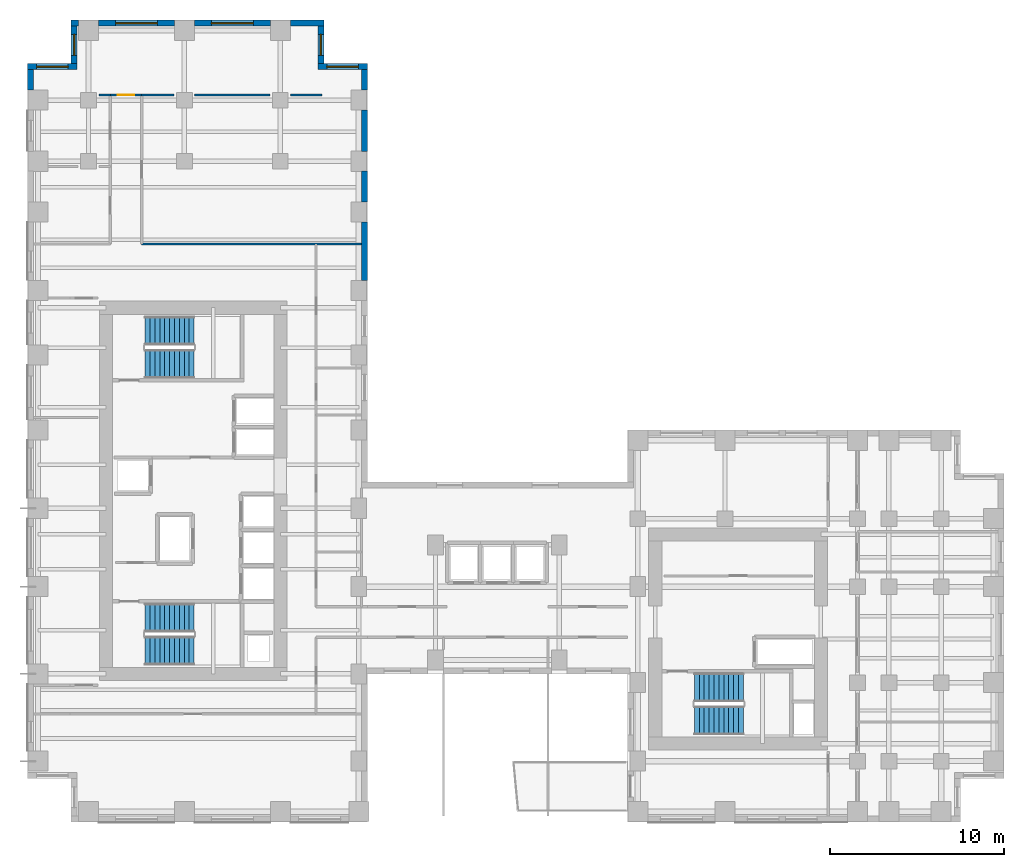
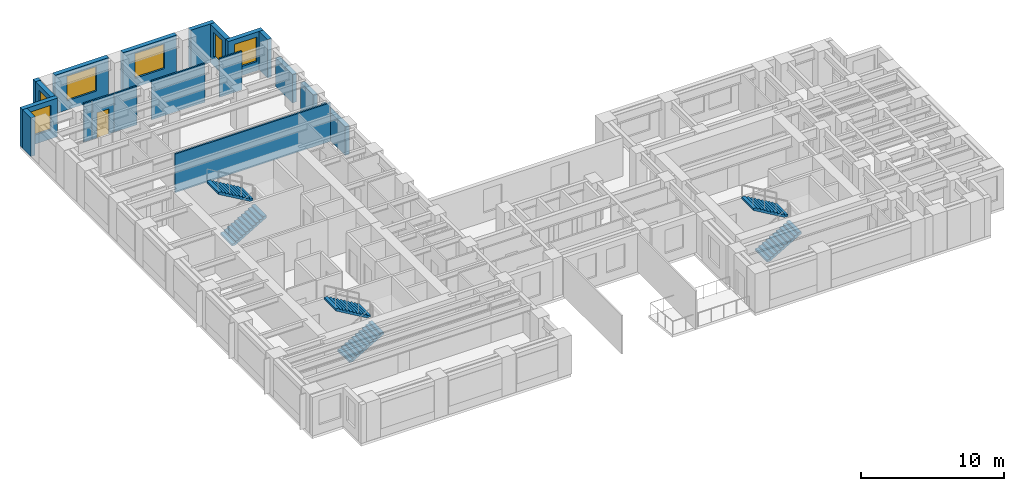
# One storey, part 9 of 12: 19 walls, 6 stair flights, 6 windows, 1 door, 7 openings, 3 elements without a shape of their own.
"""IFC4 building model written with IfcOpenShell, lengths in metres."""

from ifc_helpers import new_model, si_unit, direction, frame, frame_2d, origin, place, context, subcontext, project, spatial, polyline, rectangle, outline, extrude, source, transform, mapped, material, layer, layer_set, type_object, element, fill, aggregate, save


model = new_model("IFC4")

# Units and contexts
model_context = context("Model", 3, precision=1e-05, world=origin(), true_north=direction((0.0, 1.0)))
body_context = subcontext(model_context, "Body", "Model", "MODEL_VIEW")
ifc_project = project(units=[si_unit("LENGTHUNIT", "METRE"), si_unit("AREAUNIT", "SQUARE_METRE"), si_unit("VOLUMEUNIT", "CUBIC_METRE"), si_unit("PLANEANGLEUNIT", "RADIAN"), si_unit("MASSUNIT", "GRAM", prefix="KILO")], contexts=[model_context])

# Site, building, storey
site_placement = place(None, origin())
site = spatial("IfcSite", under=ifc_project, at=site_placement, CompositionType="ELEMENT")
building_placement = place(site_placement, origin())
building = spatial("IfcBuilding", under=site, at=building_placement, Name="Kharzan Plaza Tower", CompositionType="ELEMENT")
storey_placement = place(building_placement, frame((0.0, 0.0, 135.0)))
storey = spatial("IfcBuildingStorey", under=building, at=storey_placement, Name="L36", CompositionType="ELEMENT", Elevation=135.0)

# Wall, opening, window
ifc_material_1 = material(Name="Concrete C40/50", Category="concrete")
ifc_layer_1 = layer(ifc_material_1, 0.35009765625)
ifc_layer_set_1 = layer_set([ifc_layer_1], Name="Concrete C40/50")
wall_type_1 = type_object("IfcWallType", Name="WL-EXT-MAS-Z2", PredefinedType="SOLIDWALL", material=ifc_layer_set_1)
wall_1_placement = place(storey_placement, frame((19.5, 43.324951171875, 0.0), z_axis=(0.0, 0.0, 1.0), x_axis=(-1.0, 0.0, 0.0)))
wall_1 = element("IfcWall", 1, at=wall_1_placement, inside=storey, type_object=wall_type_1, Name="L36 Masonry-Frame Exterior Wall 08", PredefinedType="SOLIDWALL", context=body_context, shape_type="SweptSolid", body=[
    extrude(rectangle(XDim=2.85009765625, YDim=0.35009765625, at=frame_2d((1.425048828125, 0.0))), origin(), (0.0, 0.0, 1.0), 3.304931640625),
])
opening_1_placement = place(wall_1_placement, frame((0.52490234375, 0.0, 0.780029296875)))
opening_1 = element("IfcOpeningElement", 2, at=opening_1_placement, cuts=wall_1, Name="Opening W1", PredefinedType="OPENING", context=body_context, shape_type="SweptSolid", body=[
    extrude(rectangle(XDim=1.800048828125, YDim=2.10009765625, at=frame_2d((0.89990234375, 1.050048828125))), frame((0.0, 0.18505859375, 0.0), z_axis=(0.0, -1.0, 0.0), x_axis=(1.0, 0.0, 0.0)), (0.0, 0.0, 1.0), 0.3701171875),
])
ifc_material_2 = material(Name="Low-E Double Glazing", Category="glass")
window_type_1 = type_object("IfcWindowType", Name="WN-REC-1800x2100", PartitioningType="SINGLE_PANEL", PredefinedType="WINDOW", material=ifc_material_2)
shared_shape_1 = source(origin(), body_context, "Body", "SweptSolid", [
    extrude(rectangle(XDim=1.800048828125, YDim=2.10009765625, at=frame_2d((0.89990234375, 1.050048828125))), frame((0.0, 0.030029296875, 0.0), z_axis=(0.0, -1.0, 0.0), x_axis=(1.0, 0.0, 0.0)), (0.0, 0.0, 1.0), 0.06005859375),
])
window_1_placement = place(opening_1_placement, origin())
window_1 = element("IfcWindow", 3, at=window_1_placement, inside=storey, type_object=window_type_1, Name="L36 Recessed Solar-Control Window 08-1", OverallHeight=2.10009765625, OverallWidth=1.800048828125, PartitioningType="SINGLE_PANEL", PredefinedType="WINDOW", context=body_context, shape_type="MappedRepresentation", body=[
    mapped(shared_shape_1, transform((0.0, 0.0, 0.0), x_axis=(1.0, 0.0, 0.0), y_axis=(0.0, 1.0, 0.0), z_axis=(0.0, 0.0, 1.0))),
])
fill(opening_1, window_1)

wall_2_placement = place(storey_placement, frame((16.824951171875, 43.498046875, 0.0), z_axis=(0.0, 0.0, 1.0), x_axis=(0.0, 1.0, 0.0)))
wall_2 = element("IfcWall", 4, at=wall_2_placement, inside=storey, type_object=wall_type_1, Name="L36 Masonry-Frame Exterior Wall 09", PredefinedType="SOLIDWALL", context=body_context, shape_type="SweptSolid", body=[
    extrude(rectangle(XDim=2.154052734375, YDim=0.35009765625, at=frame_2d((1.0771484375, 0.0))), origin(), (0.0, 0.0, 1.0), 3.304931640625),
])
opening_2_placement = place(wall_2_placement, frame((0.47705078125, 0.0, 0.780029296875)))
opening_2 = element("IfcOpeningElement", 5, at=opening_2_placement, cuts=wall_2, Name="Opening W3", PredefinedType="OPENING", context=body_context, shape_type="SweptSolid", body=[
    extrude(rectangle(XDim=1.199951171875, YDim=2.10009765625, at=frame_2d((0.60009765625, 1.050048828125))), frame((0.0, 0.18505859375, 0.0), z_axis=(0.0, -1.0, 0.0), x_axis=(1.0, 0.0, 0.0)), (0.0, 0.0, 1.0), 0.3701171875),
])
window_type_2 = type_object("IfcWindowType", Name="WN-REC-1200x2100", PartitioningType="SINGLE_PANEL", PredefinedType="WINDOW", material=ifc_material_2)
shared_shape_2 = source(origin(), body_context, "Body", "SweptSolid", [
    extrude(rectangle(XDim=1.199951171875, YDim=2.10009765625, at=frame_2d((0.60009765625, 1.050048828125))), frame((0.0, 0.030029296875, 0.0), z_axis=(0.0, -1.0, 0.0), x_axis=(1.0, 0.0, 0.0)), (0.0, 0.0, 1.0), 0.06005859375),
])
window_2_placement = place(opening_2_placement, origin())
window_2 = element("IfcWindow", 6, at=window_2_placement, inside=storey, type_object=window_type_2, Name="L36 Recessed Solar-Control Window 09-1", OverallHeight=2.10009765625, OverallWidth=1.199951171875, PartitioningType="SINGLE_PANEL", PredefinedType="WINDOW", context=body_context, shape_type="MappedRepresentation", body=[
    mapped(shared_shape_2, transform((0.0, 0.0, 0.0), x_axis=(1.0, 0.0, 0.0), y_axis=(0.0, 1.0, 0.0), z_axis=(0.0, 0.0, 1.0))),
])
fill(opening_2, window_2)

wall_3_placement = place(storey_placement, frame((13.927001953125, 45.824951171875, 0.0), z_axis=(0.0, 0.0, 1.0), x_axis=(-1.0, 0.0, 0.0)))
wall_3 = element("IfcWall", 7, at=wall_3_placement, inside=storey, type_object=wall_type_1, Name="L36 Masonry-Frame Exterior Wall 11", PredefinedType="SOLIDWALL", context=body_context, shape_type="SweptSolid", body=[
    extrude(rectangle(XDim=4.35400390625, YDim=0.35009765625, at=frame_2d((2.177001953125, 0.0))), origin(), (0.0, 0.0, 1.0), 3.304931640625),
])
opening_3_placement = place(wall_3_placement, frame((0.97705078125, 0.0, 0.780029296875)))
opening_3 = element("IfcOpeningElement", 8, at=opening_3_placement, cuts=wall_3, Name="Opening W2", PredefinedType="OPENING", context=body_context, shape_type="SweptSolid", body=[
    extrude(rectangle(XDim=2.39990234375, YDim=2.10009765625, at=frame_2d((1.199951171875, 1.050048828125))), frame((0.0, 0.18505859375, 0.0), z_axis=(0.0, -1.0, 0.0), x_axis=(1.0, 0.0, 0.0)), (0.0, 0.0, 1.0), 0.3701171875),
])
window_type_3 = type_object("IfcWindowType", Name="WN-REC-2400x2100", PartitioningType="SINGLE_PANEL", PredefinedType="WINDOW", material=ifc_material_2)
shared_shape_3 = source(origin(), body_context, "Body", "SweptSolid", [
    extrude(rectangle(XDim=2.39990234375, YDim=2.10009765625, at=frame_2d((1.199951171875, 1.050048828125))), frame((0.0, 0.030029296875, 0.0), z_axis=(0.0, -1.0, 0.0), x_axis=(1.0, 0.0, 0.0)), (0.0, 0.0, 1.0), 0.06005859375),
])
window_3_placement = place(opening_3_placement, origin())
window_3 = element("IfcWindow", 9, at=window_3_placement, inside=storey, type_object=window_type_3, Name="L36 Wide Recessed Solar-Control Window 11-1", OverallHeight=2.10009765625, OverallWidth=2.39990234375, PartitioningType="SINGLE_PANEL", PredefinedType="WINDOW", context=body_context, shape_type="MappedRepresentation", body=[
    mapped(shared_shape_3, transform((0.0, 0.0, 0.0), x_axis=(1.0, 0.0, 0.0), y_axis=(0.0, 1.0, 0.0), z_axis=(0.0, 0.0, 1.0))),
])
fill(opening_3, window_3)

wall_4_placement = place(storey_placement, frame((8.427001953125, 45.824951171875, 0.0), z_axis=(0.0, 0.0, 1.0), x_axis=(-1.0, 0.0, 0.0)))
wall_4 = element("IfcWall", 10, at=wall_4_placement, inside=storey, type_object=wall_type_1, Name="L36 Masonry-Frame Exterior Wall 12", PredefinedType="SOLIDWALL", context=body_context, shape_type="SweptSolid", body=[
    extrude(rectangle(XDim=4.35400390625, YDim=0.35009765625, at=frame_2d((2.177001953125, 0.0))), origin(), (0.0, 0.0, 1.0), 3.304931640625),
])
opening_4_placement = place(wall_4_placement, frame((0.97705078125, 0.0, 0.780029296875)))
opening_4 = element("IfcOpeningElement", 11, at=opening_4_placement, cuts=wall_4, Name="Opening W2", PredefinedType="OPENING", context=body_context, shape_type="SweptSolid", body=[
    extrude(rectangle(XDim=2.39990234375, YDim=2.10009765625, at=frame_2d((1.199951171875, 1.050048828125))), frame((0.0, 0.18505859375, 0.0), z_axis=(0.0, -1.0, 0.0), x_axis=(1.0, 0.0, 0.0)), (0.0, 0.0, 1.0), 0.3701171875),
])
window_4_placement = place(opening_4_placement, origin())
window_4 = element("IfcWindow", 12, at=window_4_placement, inside=storey, type_object=window_type_3, Name="L36 Wide Recessed Solar-Control Window 12-1", OverallHeight=2.10009765625, OverallWidth=2.39990234375, PartitioningType="SINGLE_PANEL", PredefinedType="WINDOW", context=body_context, shape_type="MappedRepresentation", body=[
    mapped(shared_shape_3, transform((0.0, 0.0, 0.0), x_axis=(1.0, 0.0, 0.0), y_axis=(0.0, 1.0, 0.0), z_axis=(0.0, 0.0, 1.0))),
])
fill(opening_4, window_4)

wall_5_placement = place(storey_placement, frame((2.675048828125, 45.652099609375, 0.0), z_axis=(0.0, 0.0, 1.0), x_axis=(0.0, -1.0, 0.0)))
wall_5 = element("IfcWall", 13, at=wall_5_placement, inside=storey, type_object=wall_type_1, Name="L36 Masonry-Frame Exterior Wall 14", PredefinedType="SOLIDWALL", context=body_context, shape_type="SweptSolid", body=[
    extrude(rectangle(XDim=2.154052734375, YDim=0.35009765625, at=frame_2d((1.0771484375, 0.0))), origin(), (0.0, 0.0, 1.0), 3.304931640625),
])
opening_5_placement = place(wall_5_placement, frame((0.47705078125, 0.0, 0.780029296875)))
opening_5 = element("IfcOpeningElement", 14, at=opening_5_placement, cuts=wall_5, Name="Opening W3", PredefinedType="OPENING", context=body_context, shape_type="SweptSolid", body=[
    extrude(rectangle(XDim=1.199951171875, YDim=2.10009765625, at=frame_2d((0.60009765625, 1.050048828125))), frame((0.0, 0.18505859375, 0.0), z_axis=(0.0, -1.0, 0.0), x_axis=(1.0, 0.0, 0.0)), (0.0, 0.0, 1.0), 0.3701171875),
])
window_5_placement = place(opening_5_placement, origin())
window_5 = element("IfcWindow", 15, at=window_5_placement, inside=storey, type_object=window_type_2, Name="L36 Recessed Solar-Control Window 14-1", OverallHeight=2.10009765625, OverallWidth=1.199951171875, PartitioningType="SINGLE_PANEL", PredefinedType="WINDOW", context=body_context, shape_type="MappedRepresentation", body=[
    mapped(shared_shape_2, transform((0.0, 0.0, 0.0), x_axis=(1.0, 0.0, 0.0), y_axis=(0.0, 1.0, 0.0), z_axis=(0.0, 0.0, 1.0))),
])
fill(opening_5, window_5)

wall_6_placement = place(storey_placement, frame((2.85009765625, 43.324951171875, 0.0), z_axis=(0.0, 0.0, 1.0), x_axis=(-1.0, 0.0, 0.0)))
wall_6 = element("IfcWall", 16, at=wall_6_placement, inside=storey, type_object=wall_type_1, Name="L36 Masonry-Frame Exterior Wall 15", PredefinedType="SOLIDWALL", context=body_context, shape_type="SweptSolid", body=[
    extrude(rectangle(XDim=2.85009765625, YDim=0.35009765625, at=frame_2d((1.425048828125, 0.0))), origin(), (0.0, 0.0, 1.0), 3.304931640625),
])
opening_6_placement = place(wall_6_placement, frame((0.52490234375, 0.0, 0.780029296875)))
opening_6 = element("IfcOpeningElement", 17, at=opening_6_placement, cuts=wall_6, Name="Opening W1", PredefinedType="OPENING", context=body_context, shape_type="SweptSolid", body=[
    extrude(rectangle(XDim=1.800048828125, YDim=2.10009765625, at=frame_2d((0.89990234375, 1.050048828125))), frame((0.0, 0.18505859375, 0.0), z_axis=(0.0, -1.0, 0.0), x_axis=(1.0, 0.0, 0.0)), (0.0, 0.0, 1.0), 0.3701171875),
])
window_6_placement = place(opening_6_placement, origin())
window_6 = element("IfcWindow", 18, at=window_6_placement, inside=storey, type_object=window_type_1, Name="L36 Recessed Solar-Control Window 15-1", OverallHeight=2.10009765625, OverallWidth=1.800048828125, PartitioningType="SINGLE_PANEL", PredefinedType="WINDOW", context=body_context, shape_type="MappedRepresentation", body=[
    mapped(shared_shape_1, transform((0.0, 0.0, 0.0), x_axis=(1.0, 0.0, 0.0), y_axis=(0.0, 1.0, 0.0), z_axis=(0.0, 0.0, 1.0))),
])
fill(opening_6, window_6)

# Wall, opening, door
ifc_material_3 = material(Name="Fire-Rated Gypsum Board Partition", Category="gypsum")
ifc_layer_2 = layer(ifc_material_3, 0.125)
ifc_layer_set_2 = layer_set([ifc_layer_2], Name="Fire-Rated Gypsum Board Partition")
wall_type_2 = type_object("IfcWallType", Name="WL-INT-PART-125", PredefinedType="PARTITIONING", material=ifc_layer_set_2)
wall_7_placement = place(storey_placement, frame((4.75, 41.699951171875, 0.0), z_axis=(0.0, 0.0, 1.0), x_axis=(1.0, 0.0, 0.0)))
wall_7 = element("IfcWall", 19, at=wall_7_placement, inside=storey, type_object=wall_type_2, Name="L36 Interior Partition SH-SPHD", PredefinedType="PARTITIONING", context=body_context, shape_type="SweptSolid", body=[
    extrude(rectangle(XDim=1.800048828125, YDim=0.125, at=frame_2d((0.89990234375, 0.0))), origin(), (0.0, 0.0, 1.0), 3.304931640625),
])
opening_7_placement = place(wall_7_placement, frame((0.425048828125, 0.0, 0.0)))
opening_7 = element("IfcOpeningElement", 20, at=opening_7_placement, cuts=wall_7, Name="Opening OD1", PredefinedType="OPENING", context=body_context, shape_type="SweptSolid", body=[
    extrude(rectangle(XDim=0.949951171875, YDim=2.14990234375, at=frame_2d((0.47509765625, 1.074951171875))), frame((0.0, 0.072509765625, 0.0), z_axis=(0.0, -1.0, 0.0), x_axis=(1.0, 0.0, 0.0)), (0.0, 0.0, 1.0), 0.14501953125),
])
ifc_material_4 = material(Name="Acoustic Solid-Core Stained Oak", Category="timber")
door_type = type_object("IfcDoorType", Name="DR-OFF-SINGLE", OperationType="NOTDEFINED", PredefinedType="DOOR", material=ifc_material_4)
shared_shape_4 = source(origin(), body_context, "Body", "SweptSolid", [
    extrude(rectangle(XDim=0.949951171875, YDim=2.14990234375, at=frame_2d((0.47509765625, 1.074951171875))), frame((0.0, 0.02490234375, 0.0), z_axis=(0.0, -1.0, 0.0), x_axis=(1.0, 0.0, 0.0)), (0.0, 0.0, 1.0), 0.050048828125),
])
door_placement = place(opening_7_placement, origin())
door = element("IfcDoor", 21, at=door_placement, inside=storey, type_object=door_type, Name="L36 North Boardroom Door", OperationType="SINGLE_SWING_LEFT", OverallHeight=2.14990234375, OverallWidth=0.949951171875, PredefinedType="DOOR", context=body_context, shape_type="MappedRepresentation", body=[
    mapped(shared_shape_4, transform((0.0, 0.0, 0.0), x_axis=(1.0, 0.0, 0.0), y_axis=(0.0, 1.0, 0.0), z_axis=(0.0, 0.0, 1.0))),
])
fill(opening_7, door)

# Walls
shared_shape_5 = source(origin(), body_context, "Body", "SweptSolid", [
    extrude(rectangle(XDim=3.35400390625, YDim=0.35009765625, at=frame_2d((1.677001953125, 0.0))), origin(), (0.0, 0.0, 1.0), 2.458984375),
])
wall_8_placement = place(storey_placement, frame((19.324951171875, 31.072998046875, 0.0), z_axis=(0.0, 0.0, 1.0), x_axis=(0.0, 1.0, 0.0)))
element("IfcWall", 22, at=wall_8_placement, inside=storey, type_object=wall_type_1, Name="L36 Masonry-Frame Exterior Wall 04", PredefinedType="SOLIDWALL", context=body_context, shape_type="MappedRepresentation", body=[
    mapped(shared_shape_5, transform((0.0, 0.0, 0.0), x_axis=(1.0, 0.0, 0.0), y_axis=(0.0, 1.0, 0.0), z_axis=(0.0, 0.0, 1.0))),
])
shared_shape_6 = source(origin(), body_context, "Body", "SweptSolid", [
    extrude(rectangle(XDim=1.75390625, YDim=0.35009765625, at=frame_2d((0.876953125, 0.0))), origin(), (0.0, 0.0, 1.0), 2.458984375),
])
wall_9_placement = place(storey_placement, frame((19.324951171875, 35.572998046875, 0.0), z_axis=(0.0, 0.0, 1.0), x_axis=(0.0, 1.0, 0.0)))
element("IfcWall", 23, at=wall_9_placement, inside=storey, type_object=wall_type_1, Name="L36 Masonry-Frame Exterior Wall 05", PredefinedType="SOLIDWALL", context=body_context, shape_type="MappedRepresentation", body=[
    mapped(shared_shape_6, transform((0.0, 0.0, 0.0), x_axis=(1.0, 0.0, 0.0), y_axis=(0.0, 1.0, 0.0), z_axis=(0.0, 0.0, 1.0))),
])
shared_shape_7 = source(origin(), body_context, "Body", "SweptSolid", [
    extrude(rectangle(XDim=2.35400390625, YDim=0.35009765625, at=frame_2d((1.177001953125, 0.0))), origin(), (0.0, 0.0, 1.0), 2.458984375),
])
wall_10_placement = place(storey_placement, frame((19.324951171875, 38.472900390625, 0.0), z_axis=(0.0, 0.0, 1.0), x_axis=(0.0, 1.0, 0.0)))
element("IfcWall", 24, at=wall_10_placement, inside=storey, type_object=wall_type_1, Name="L36 Masonry-Frame Exterior Wall 06", PredefinedType="SOLIDWALL", context=body_context, shape_type="MappedRepresentation", body=[
    mapped(shared_shape_7, transform((0.0, 0.0, 0.0), x_axis=(1.0, 0.0, 0.0), y_axis=(0.0, 1.0, 0.0), z_axis=(0.0, 0.0, 1.0))),
])
shared_shape_8 = source(origin(), body_context, "Body", "SweptSolid", [
    extrude(rectangle(XDim=1.17919921875, YDim=0.35009765625, at=frame_2d((0.589599609375, 0.0))), origin(), (0.0, 0.0, 1.0), 3.304931640625),
])
for number, where, z_axis, x_axis, name in (
    (25, (19.324951171875, 41.972900390625, 0.0), (0.0, 0.0, 1.0), (0.0, 1.0, 0.0), "L36 Masonry-Frame Exterior Wall 07"),
    (26, (0.175048828125, 43.152099609375, 0.0), (0.0, 0.0, 1.0), (0.0, -1.0, 0.0), "L36 Masonry-Frame Exterior Wall 16"),
):
    element("IfcWall", number, at=place(storey_placement, frame(where, z_axis=z_axis, x_axis=x_axis)), inside=storey, type_object=wall_type_1, Name=name, PredefinedType="SOLIDWALL", context=body_context, shape_type="MappedRepresentation", body=[
        mapped(shared_shape_8, transform((0.0, 0.0, 0.0), x_axis=(1.0, 0.0, 0.0), y_axis=(0.0, 1.0, 0.0), z_axis=(0.0, 0.0, 1.0))),
    ])
shared_shape_9 = source(origin(), body_context, "Body", "SweptSolid", [
    extrude(rectangle(XDim=1.927001953125, YDim=0.35009765625, at=frame_2d((0.96337890625, 0.0))), origin(), (0.0, 0.0, 1.0), 3.304931640625),
])
wall_11_placement = place(storey_placement, frame((17.0, 45.824951171875, 0.0), z_axis=(0.0, 0.0, 1.0), x_axis=(-1.0, 0.0, 0.0)))
element("IfcWall", 27, at=wall_11_placement, inside=storey, type_object=wall_type_1, Name="L36 Masonry-Frame Exterior Wall 10", PredefinedType="SOLIDWALL", context=body_context, shape_type="MappedRepresentation", body=[
    mapped(shared_shape_9, transform((0.0, 0.0, 0.0), x_axis=(1.0, 0.0, 0.0), y_axis=(0.0, 1.0, 0.0), z_axis=(0.0, 0.0, 1.0))),
])
shared_shape_10 = source(origin(), body_context, "Body", "SweptSolid", [
    extrude(rectangle(XDim=0.427001953125, YDim=0.35009765625, at=frame_2d((0.21337890625, 0.0))), origin(), (0.0, 0.0, 1.0), 3.304931640625),
])
wall_12_placement = place(storey_placement, frame((2.927001953125, 45.824951171875, 0.0), z_axis=(0.0, 0.0, 1.0), x_axis=(-1.0, 0.0, 0.0)))
element("IfcWall", 28, at=wall_12_placement, inside=storey, type_object=wall_type_1, Name="L36 Masonry-Frame Exterior Wall 13", PredefinedType="SOLIDWALL", context=body_context, shape_type="MappedRepresentation", body=[
    mapped(shared_shape_10, transform((0.0, 0.0, 0.0), x_axis=(1.0, 0.0, 0.0), y_axis=(0.0, 1.0, 0.0), z_axis=(0.0, 0.0, 1.0))),
])
shared_shape_11 = source(origin(), body_context, "Body", "SweptSolid", [
    extrude(rectangle(XDim=12.597900390625, YDim=0.125, at=frame_2d((6.298828125, 0.0))), origin(), (0.0, 0.0, 1.0), 3.304931640625),
])
wall_13_placement = place(storey_placement, frame((6.550048828125, 33.14990234375, 0.0), z_axis=(0.0, 0.0, 1.0), x_axis=(1.0, 0.0, 0.0)))
element("IfcWall", 29, at=wall_13_placement, inside=storey, type_object=wall_type_2, Name="L36 Interior Partition SH-NNE", PredefinedType="PARTITIONING", context=body_context, shape_type="MappedRepresentation", body=[
    mapped(shared_shape_11, transform((0.0, 0.0, 0.0), x_axis=(1.0, 0.0, 0.0), y_axis=(0.0, 1.0, 0.0), z_axis=(0.0, 0.0, 1.0))),
])
shared_shape_12 = source(origin(), body_context, "Body", "SweptSolid", [
    extrude(rectangle(XDim=0.659912109375, YDim=0.125, at=frame_2d((0.330078125, 0.0))), origin(), (0.0, 0.0, 1.0), 3.304931640625),
])
wall_14_placement = place(storey_placement, frame((4.090087890625, 41.699951171875, 0.0), z_axis=(0.0, 0.0, 1.0), x_axis=(1.0, 0.0, 0.0)))
element("IfcWall", 30, at=wall_14_placement, inside=storey, type_object=wall_type_2, Name="L36 Interior Partition SH-SPHW", PredefinedType="PARTITIONING", context=body_context, shape_type="MappedRepresentation", body=[
    mapped(shared_shape_12, transform((0.0, 0.0, 0.0), x_axis=(1.0, 0.0, 0.0), y_axis=(0.0, 1.0, 0.0), z_axis=(0.0, 0.0, 1.0))),
])
shared_shape_13 = source(origin(), body_context, "Body", "SweptSolid", [
    extrude(rectangle(XDim=1.85986328125, YDim=0.125, at=frame_2d((0.929931640625, 0.0))), origin(), (0.0, 0.0, 1.0), 3.304931640625),
])
wall_15_placement = place(storey_placement, frame((6.550048828125, 41.699951171875, 0.0), z_axis=(0.0, 0.0, 1.0), x_axis=(1.0, 0.0, 0.0)))
element("IfcWall", 31, at=wall_15_placement, inside=storey, type_object=wall_type_2, Name="L36 Interior Partition SH-SPHE-S1", PredefinedType="PARTITIONING", context=body_context, shape_type="MappedRepresentation", body=[
    mapped(shared_shape_13, transform((0.0, 0.0, 0.0), x_axis=(1.0, 0.0, 0.0), y_axis=(0.0, 1.0, 0.0), z_axis=(0.0, 0.0, 1.0))),
])
shared_shape_14 = source(origin(), body_context, "Body", "SweptSolid", [
    extrude(rectangle(XDim=4.31982421875, YDim=0.125, at=frame_2d((2.159912109375, 0.0))), origin(), (0.0, 0.0, 1.0), 3.304931640625),
])
wall_16_placement = place(storey_placement, frame((9.590087890625, 41.699951171875, 0.0), z_axis=(0.0, 0.0, 1.0), x_axis=(1.0, 0.0, 0.0)))
element("IfcWall", 32, at=wall_16_placement, inside=storey, type_object=wall_type_2, Name="L36 Interior Partition SH-SPHE-S2", PredefinedType="PARTITIONING", context=body_context, shape_type="MappedRepresentation", body=[
    mapped(shared_shape_14, transform((0.0, 0.0, 0.0), x_axis=(1.0, 0.0, 0.0), y_axis=(0.0, 1.0, 0.0), z_axis=(0.0, 0.0, 1.0))),
])
shared_shape_15 = source(origin(), body_context, "Body", "SweptSolid", [
    extrude(rectangle(XDim=1.809814453125, YDim=0.125, at=frame_2d((0.90478515625, 0.0))), origin(), (0.0, 0.0, 1.0), 3.304931640625),
])
wall_17_placement = place(storey_placement, frame((15.090087890625, 41.699951171875, 0.0), z_axis=(0.0, 0.0, 1.0), x_axis=(1.0, 0.0, 0.0)))
element("IfcWall", 33, at=wall_17_placement, inside=storey, type_object=wall_type_2, Name="L36 Interior Partition SH-SPHE-S3", PredefinedType="PARTITIONING", context=body_context, shape_type="MappedRepresentation", body=[
    mapped(shared_shape_15, transform((0.0, 0.0, 0.0), x_axis=(1.0, 0.0, 0.0), y_axis=(0.0, 1.0, 0.0), z_axis=(0.0, 0.0, 1.0))),
])

# Stair, stair flights
stair_type_1 = type_object("IfcStairType", Name="STR-ST-1", PredefinedType="HALF_TURN_STAIR", material=ifc_material_1)
stair_1_placement = place(storey_placement, origin())
stair_1 = element("IfcStair", 34, at=stair_1_placement, inside=storey, type_object=stair_type_1, Name="L36 Protected Exit Stair ST-1", PredefinedType="HALF_TURN_STAIR")
stair_flight_type = type_object("IfcStairFlightType", Name="SFL-1650-R173", PredefinedType="STRAIGHT", material=ifc_material_1)
shared_shape_16 = source(origin(), body_context, "Body", "SweptSolid", [
    extrude(outline(polyline([(-0.0029296875, -0.011962890625), (-0.0029296875, 0.0), (0.0, 0.0), (0.0, 0.16357421875), (0.280029296875, 0.16357421875), (0.280029296875, 0.3271484375), (0.56005859375, 0.3271484375), (0.56005859375, 0.49072265625), (0.840087890625, 0.49072265625), (0.840087890625, 0.654296875), (1.1201171875, 0.654296875), (1.1201171875, 0.81787109375), (1.400146484375, 0.81787109375), (1.400146484375, 0.9814453125), (1.68017578125, 0.9814453125), (1.68017578125, 1.14501953125), (1.960205078125, 1.14501953125), (1.960205078125, 1.30859375), (2.240234375, 1.30859375), (2.240234375, 1.47216796875), (2.520263671875, 1.47216796875), (2.520263671875, 1.6357421875), (2.80029296875, 1.6357421875), (2.80029296875, 1.79931640625), (2.80029296875, 1.462158203125), (0.297119140625, 0.0), (0.297119140625, -0.011962890625), (-0.0029296875, -0.011962890625)])), frame((0.0, 0.824951171875, 0.0), z_axis=(0.0, -1.0, 0.0), x_axis=(1.0, 0.0, 0.0)), (0.0, 0.0, 1.0), 1.64990234375),
])
stair_flight_1_placement = place(storey_placement, frame((6.75, 9.824951171875, 0.0), z_axis=(0.0, 0.0, 1.0), x_axis=(1.0, 0.0, 0.0)))
stair_flight_1 = element("IfcStairFlight", 35, at=stair_flight_1_placement, type_object=stair_flight_type, Name="ST-1 flight 1", NumberOfRisers=11, NumberOfTreads=10, PredefinedType="STRAIGHT", RiserHeight=0.163636364, TreadLength=0.28, context=body_context, shape_type="MappedRepresentation", body=[
    mapped(shared_shape_16, transform((0.0, 0.0, 0.0), x_axis=(1.0, 0.0, 0.0), y_axis=(0.0, 1.0, 0.0), z_axis=(0.0, 0.0, 1.0))),
])
stair_flight_2_placement = place(storey_placement, frame((9.550048828125, 11.72509765625, 1.800048828125), z_axis=(0.0, 0.0, 1.0), x_axis=(-1.0, 0.0, 0.0)))
stair_flight_2 = element("IfcStairFlight", 36, at=stair_flight_2_placement, type_object=stair_flight_type, Name="ST-1 flight 2", NumberOfRisers=11, NumberOfTreads=10, PredefinedType="STRAIGHT", RiserHeight=0.163636364, TreadLength=0.28, context=body_context, shape_type="MappedRepresentation", body=[
    mapped(shared_shape_16, transform((0.0, 0.0, 0.0), x_axis=(1.0, 0.0, 0.0), y_axis=(0.0, 1.0, 0.0), z_axis=(0.0, 0.0, 1.0))),
])
aggregate(stair_1, [stair_flight_1, stair_flight_2])

stair_type_2 = type_object("IfcStairType", Name="STR-ST-2", PredefinedType="HALF_TURN_STAIR", material=ifc_material_1)
stair_2_placement = place(storey_placement, origin())
stair_2 = element("IfcStair", 37, at=stair_2_placement, inside=storey, type_object=stair_type_2, Name="L36 Protected Exit Stair ST-2", PredefinedType="HALF_TURN_STAIR")
stair_flight_3_placement = place(storey_placement, frame((6.75, 26.27490234375, 0.0), z_axis=(0.0, 0.0, 1.0), x_axis=(1.0, 0.0, 0.0)))
stair_flight_3 = element("IfcStairFlight", 38, at=stair_flight_3_placement, type_object=stair_flight_type, Name="ST-2 flight 1", NumberOfRisers=11, NumberOfTreads=10, PredefinedType="STRAIGHT", RiserHeight=0.163636364, TreadLength=0.28, context=body_context, shape_type="MappedRepresentation", body=[
    mapped(shared_shape_16, transform((0.0, 0.0, 0.0), x_axis=(1.0, 0.0, 0.0), y_axis=(0.0, 1.0, 0.0), z_axis=(0.0, 0.0, 1.0))),
])
stair_flight_4_placement = place(storey_placement, frame((9.550048828125, 28.175048828125, 1.800048828125), z_axis=(0.0, 0.0, 1.0), x_axis=(-1.0, 0.0, 0.0)))
stair_flight_4 = element("IfcStairFlight", 39, at=stair_flight_4_placement, type_object=stair_flight_type, Name="ST-2 flight 2", NumberOfRisers=11, NumberOfTreads=10, PredefinedType="STRAIGHT", RiserHeight=0.163636364, TreadLength=0.28, context=body_context, shape_type="MappedRepresentation", body=[
    mapped(shared_shape_16, transform((0.0, 0.0, 0.0), x_axis=(1.0, 0.0, 0.0), y_axis=(0.0, 1.0, 0.0), z_axis=(0.0, 0.0, 1.0))),
])
aggregate(stair_2, [stair_flight_3, stair_flight_4])

stair_type_3 = type_object("IfcStairType", Name="STR-ST-3", PredefinedType="HALF_TURN_STAIR", material=ifc_material_1)
stair_3_placement = place(storey_placement, origin())
stair_3 = element("IfcStair", 40, at=stair_3_placement, inside=storey, type_object=stair_type_3, Name="L36 Protected Exit Stair ST-3", PredefinedType="HALF_TURN_STAIR")
stair_flight_5_placement = place(storey_placement, frame((38.25, 5.824951171875, 0.0), z_axis=(0.0, 0.0, 1.0), x_axis=(1.0, 0.0, 0.0)))
stair_flight_5 = element("IfcStairFlight", 41, at=stair_flight_5_placement, type_object=stair_flight_type, Name="ST-3 flight 1", NumberOfRisers=11, NumberOfTreads=10, PredefinedType="STRAIGHT", RiserHeight=0.163636364, TreadLength=0.28, context=body_context, shape_type="MappedRepresentation", body=[
    mapped(shared_shape_16, transform((0.0, 0.0, 0.0), x_axis=(1.0, 0.0, 0.0), y_axis=(0.0, 1.0, 0.0), z_axis=(0.0, 0.0, 1.0))),
])
stair_flight_6_placement = place(storey_placement, frame((41.050048828125, 7.72509765625, 1.800048828125), z_axis=(0.0, 0.0, 1.0), x_axis=(-1.0, 0.0, 0.0)))
stair_flight_6 = element("IfcStairFlight", 42, at=stair_flight_6_placement, type_object=stair_flight_type, Name="ST-3 flight 2", NumberOfRisers=11, NumberOfTreads=10, PredefinedType="STRAIGHT", RiserHeight=0.163636364, TreadLength=0.28, context=body_context, shape_type="MappedRepresentation", body=[
    mapped(shared_shape_16, transform((0.0, 0.0, 0.0), x_axis=(1.0, 0.0, 0.0), y_axis=(0.0, 1.0, 0.0), z_axis=(0.0, 0.0, 1.0))),
])
aggregate(stair_3, [stair_flight_5, stair_flight_6])

save(model, "model.ifc")
